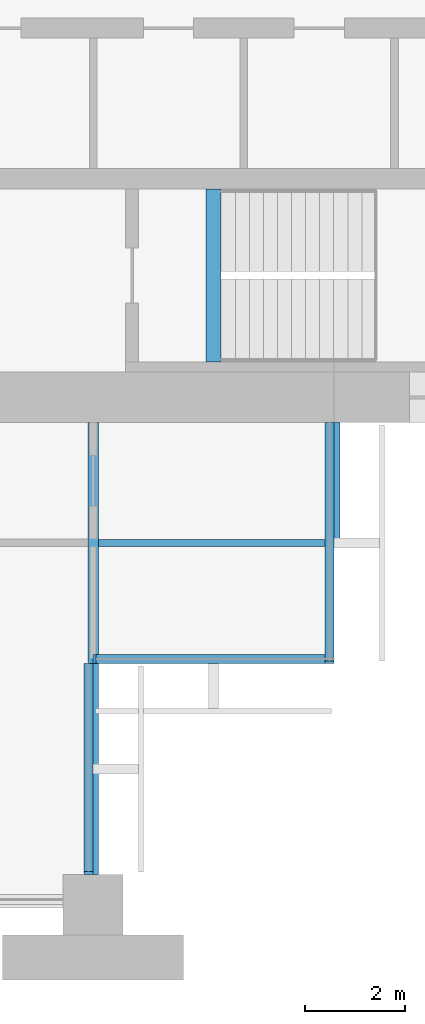
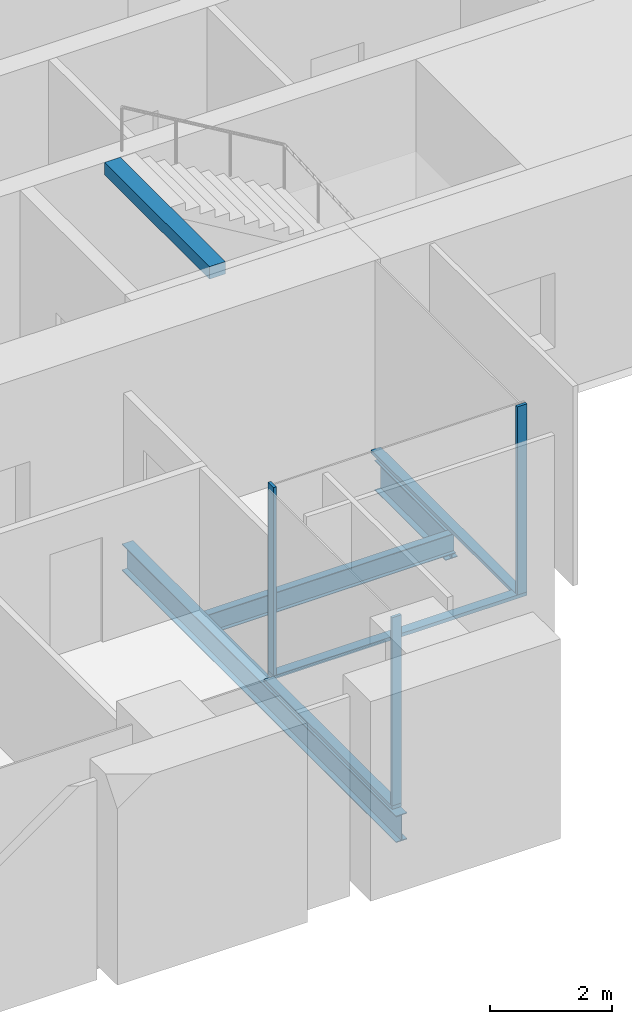
# One storey, part 4 of 14: 6 members, 4 beams, 3 elements without a shape of their own.
"""IFC4 building model written with IfcOpenShell, lengths in metres."""

from ifc_helpers import new_model, si_unit, direction, frame, origin, origin_2d, place, context, subcontext, project, spatial, rectangle, i_section, extrude, material, material_profile, profile_set, type_object, element, aggregate, save


model = new_model("IFC4")

# Units and contexts
model_context = context("Model", 3, precision=1e-05, world=origin(), true_north=direction((0.0, 1.0)))
body_context = subcontext(model_context, "Body", "Model", "MODEL_VIEW")
ifc_project = project(units=[si_unit("LENGTHUNIT", "METRE"), si_unit("AREAUNIT", "SQUARE_METRE"), si_unit("VOLUMEUNIT", "CUBIC_METRE"), si_unit("PLANEANGLEUNIT", "RADIAN"), si_unit("MASSUNIT", "GRAM", prefix="KILO")], contexts=[model_context])

# Site, building, storey
site_placement = place(None, origin())
site = spatial("IfcSite", under=ifc_project, at=site_placement, CompositionType="ELEMENT")
building_placement = place(site_placement, origin())
building = spatial("IfcBuilding", under=site, at=building_placement, Name="Baori Bourse Tower", CompositionType="ELEMENT")
storey_placement = place(building_placement, frame((0.0, 0.0, 124.10009765625)))
storey = spatial("IfcBuildingStorey", under=building, at=storey_placement, Name="L26", CompositionType="ELEMENT", Elevation=124.10009765625)

# Curtain wall, member
ifc_material_1 = material(Name="Pale anodised aluminium", Category="aluminium")
curtain_wall_type = type_object("IfcCurtainWallType", Name="CW2 Curtain wall", PredefinedType="NOTDEFINED", material=ifc_material_1)
curtain_wall_1_placement = place(storey_placement, origin())
curtain_wall_1 = element("IfcCurtainWall", 1, at=curtain_wall_1_placement, inside=storey, type_object=curtain_wall_type, Name="Curtain wall CW2 L26 12", PredefinedType="NOTDEFINED")
ifc_material_2 = material(Name="Pale anodised aluminium", Category="aluminium")
ifc_material_profile_1 = material_profile(ifc_material_2, rectangle(XDim=0.179931640625, YDim=0.054931640625, at=origin_2d()), Name="Mullion 55x180")
ifc_profile_set_1 = profile_set([ifc_material_profile_1], Name="Pale anodised aluminium")
member_type_1 = type_object("IfcMemberType", Name="CW2 Curtain wall mullion", PredefinedType="MULLION", material=ifc_profile_set_1)
member_1_placement = place(storey_placement, frame((43.110107421875, 0.62744140625, 0.06982421875), z_axis=(0.0, 0.0, 1.0), x_axis=(-1.0, 0.0, 0.0)))
member_1 = element("IfcMember", 2, at=member_1_placement, type_object=member_type_1, Name="Curtain wall CW2 mullion", PredefinedType="MULLION", context=body_context, shape_type="SweptSolid", body=[
    extrude(rectangle(XDim=0.179931640625, YDim=0.054931640625, at=origin_2d()), origin(), (0.0, 0.0, 1.0), 3.77001953125),
])

curtain_wall_2_placement = place(storey_placement, origin())
curtain_wall_2 = element("IfcCurtainWall", 3, at=curtain_wall_2_placement, inside=storey, type_object=curtain_wall_type, Name="Curtain wall CW2 L26 13", PredefinedType="NOTDEFINED")
member_2_placement = place(storey_placement, frame((43.2275390625, 4.889892578125, 0.06982421875), z_axis=(0.0, 0.0, 1.0), x_axis=(0.0, 1.0, 0.0)))
member_2 = element("IfcMember", 4, at=member_2_placement, type_object=member_type_1, Name="Curtain wall CW2 mullion", PredefinedType="MULLION", context=body_context, shape_type="SweptSolid", body=[
    extrude(rectangle(XDim=0.179931640625, YDim=0.054931640625, at=origin_2d()), origin(), (0.0, 0.0, 1.0), 3.77001953125),
])

curtain_wall_3_placement = place(storey_placement, origin())
curtain_wall_3 = element("IfcCurtainWall", 5, at=curtain_wall_3_placement, inside=storey, type_object=curtain_wall_type, Name="Curtain wall CW2 L26 14", PredefinedType="NOTDEFINED")
member_3_placement = place(storey_placement, frame((47.909912109375, 4.827392578125, 0.06982421875), z_axis=(0.0, 0.0, 1.0), x_axis=(-1.0, 0.0, 0.0)))
member_3 = element("IfcMember", 6, at=member_3_placement, type_object=member_type_1, Name="Curtain wall CW2 mullion", PredefinedType="MULLION", context=body_context, shape_type="SweptSolid", body=[
    extrude(rectangle(XDim=0.179931640625, YDim=0.054931640625, at=origin_2d()), origin(), (0.0, 0.0, 1.0), 3.77001953125),
])

# Member
ifc_material_3 = material(Name="Pale anodised aluminium", Category="aluminium")
ifc_material_profile_2 = material_profile(ifc_material_3, rectangle(XDim=0.179931640625, YDim=0.070068359375, at=origin_2d()), Name="Transom 70x180")
ifc_profile_set_2 = profile_set([ifc_material_profile_2], Name="Pale anodised aluminium")
member_type_2 = type_object("IfcMemberType", Name="CW2 Curtain wall transom", PredefinedType="USERDEFINED", material=ifc_profile_set_2)
member_4_placement = place(storey_placement, frame((43.110107421875, 0.60009765625, 0.034912109375), z_axis=(0.0, 1.0, 0.0), x_axis=(-1.0, 0.0, 0.0)))
member_4 = element("IfcMember", 7, at=member_4_placement, type_object=member_type_2, Name="Curtain wall CW2 sill rail", ObjectType="TRANSOM", PredefinedType="USERDEFINED", context=body_context, shape_type="SweptSolid", body=[
    extrude(rectangle(XDim=0.179931640625, YDim=0.070068359375, at=origin_2d()), origin(), (0.0, 0.0, 1.0), 4.199951171875),
])

aggregate(curtain_wall_1, [member_4, member_1])

member_5_placement = place(storey_placement, frame((43.199951171875, 4.889892578125, 0.034912109375), z_axis=(1.0, 0.0, 0.0), x_axis=(0.0, 1.0, 0.0)))
member_5 = element("IfcMember", 8, at=member_5_placement, type_object=member_type_2, Name="Curtain wall CW2 sill rail", ObjectType="TRANSOM", PredefinedType="USERDEFINED", context=body_context, shape_type="SweptSolid", body=[
    extrude(rectangle(XDim=0.179931640625, YDim=0.070068359375, at=origin_2d()), origin(), (0.0, 0.0, 1.0), 4.800048828125),
])

aggregate(curtain_wall_2, [member_5, member_2])

member_6_placement = place(storey_placement, frame((47.909912109375, 4.800048828125, 0.034912109375), z_axis=(0.0, 1.0, 0.0), x_axis=(-1.0, 0.0, 0.0)))
member_6 = element("IfcMember", 9, at=member_6_placement, type_object=member_type_2, Name="Curtain wall CW2 sill rail", ObjectType="TRANSOM", PredefinedType="USERDEFINED", context=body_context, shape_type="SweptSolid", body=[
    extrude(rectangle(XDim=0.179931640625, YDim=0.070068359375, at=origin_2d()), origin(), (0.0, 0.0, 1.0), 4.800048828125),
])

aggregate(curtain_wall_3, [member_6, member_3])

# Beams
ifc_material_4 = material(Name="Steel A992 Gr 50", Category="steel")
ifc_material_profile_3 = material_profile(ifc_material_4, i_section(OverallWidth=0.227783203125, OverallDepth=0.60205078125, WebThickness=0.010498046875, FlangeThickness=0.014892578125, at=origin_2d()), Name="W24x68")
ifc_profile_set_3 = profile_set([ifc_material_profile_3], Name="Steel A992 Gr 50")
beam_type_1 = type_object("IfcBeamType", Name="Core bracket W24x68", PredefinedType="BEAM", material=ifc_profile_set_3)
beam_1_placement = place(storey_placement, frame((48.0, 7.270263671875, -0.461181640625), z_axis=(0.0, 1.0, 0.0), x_axis=(-1.0, 0.0, 0.0)))
element("IfcBeam", 10, at=beam_1_placement, inside=storey, type_object=beam_type_1, Name="Core bracket L26", PredefinedType="BEAM", context=body_context, shape_type="SweptSolid", body=[
    extrude(i_section(OverallWidth=0.227783203125, OverallDepth=0.60205078125, WebThickness=0.010498046875, FlangeThickness=0.014892578125, at=origin_2d()), origin(), (0.0, 0.0, 1.0), 2.329833984375),
])
ifc_material_5 = material(Name="Steel A992 Gr 50", Category="steel")
ifc_material_profile_4 = material_profile(ifc_material_5, i_section(OverallWidth=0.209228515625, OverallDepth=0.533447265625, WebThickness=0.01025390625, FlangeThickness=0.015625, at=origin_2d()), Name="W21x62")
ifc_profile_set_4 = profile_set([ifc_material_profile_4], Name="Steel A992 Gr 50")
beam_type_2 = type_object("IfcBeamType", Name="Floor beam W21x62", PredefinedType="BEAM", material=ifc_profile_set_4)
beam_2_placement = place(storey_placement, frame((43.199951171875, 0.60009765625, -0.4267578125), z_axis=(0.0, 1.0, 0.0), x_axis=(-1.0, 0.0, 0.0)))
element("IfcBeam", 11, at=beam_2_placement, inside=storey, type_object=beam_type_2, Name="Floor beam L26", PredefinedType="BEAM", context=body_context, shape_type="SweptSolid", body=[
    extrude(i_section(OverallWidth=0.209228515625, OverallDepth=0.533447265625, WebThickness=0.01025390625, FlangeThickness=0.015625, at=origin_2d()), origin(), (0.0, 0.0, 1.0), 9.0),
])
ifc_material_6 = material(Name="Concrete f'c 50 MPa", Category="concrete")
ifc_material_profile_5 = material_profile(ifc_material_6, rectangle(XDim=0.300048828125, YDim=0.25, at=origin_2d()), Name="RC 300x250")
ifc_profile_set_5 = profile_set([ifc_material_profile_5], Name="Concrete f'c 50 MPa")
beam_type_3 = type_object("IfcBeamType", Name="Stair nib beam RC 300x250", PredefinedType="BEAM", material=ifc_profile_set_5)
beam_3_placement = place(storey_placement, frame((45.60009765625, 10.800048828125, 3.71484375), z_axis=(0.0, 1.0, 0.0), x_axis=(-1.0, 0.0, 0.0)))
element("IfcBeam", 12, at=beam_3_placement, inside=storey, type_object=beam_type_3, Name="Stair EA nib beam L27", PredefinedType="BEAM", context=body_context, shape_type="SweptSolid", body=[
    extrude(rectangle(XDim=0.300048828125, YDim=0.25, at=origin_2d()), origin(), (0.0, 0.0, 1.0), 3.449951171875),
])
ifc_material_7 = material(Name="Steel A992 Gr 50", Category="steel")
ifc_material_profile_6 = material_profile(ifc_material_7, i_section(OverallWidth=0.140380859375, OverallDepth=0.40380859375, WebThickness=0.007080078125, FlangeThickness=0.01123046875, at=origin_2d()), Name="W16x31")
ifc_profile_set_6 = profile_set([ifc_material_profile_6], Name="Steel A992 Gr 50")
beam_type_4 = type_object("IfcBeamType", Name="Trimmer beam W16x31", PredefinedType="BEAM", material=ifc_profile_set_6)
beam_4_placement = place(storey_placement, frame((43.3046875, 7.199951171875, -0.362060546875), z_axis=(1.0, 0.0, 0.0), x_axis=(0.0, 1.0, 0.0)))
element("IfcBeam", 13, at=beam_4_placement, inside=storey, type_object=beam_type_4, Name="Trimmer beam L26", PredefinedType="BEAM", context=body_context, shape_type="SweptSolid", body=[
    extrude(i_section(OverallWidth=0.140380859375, OverallDepth=0.40380859375, WebThickness=0.007080078125, FlangeThickness=0.01123046875, at=origin_2d()), origin(), (0.0, 0.0, 1.0), 4.6953125),
])

save(model, "model.ifc")
